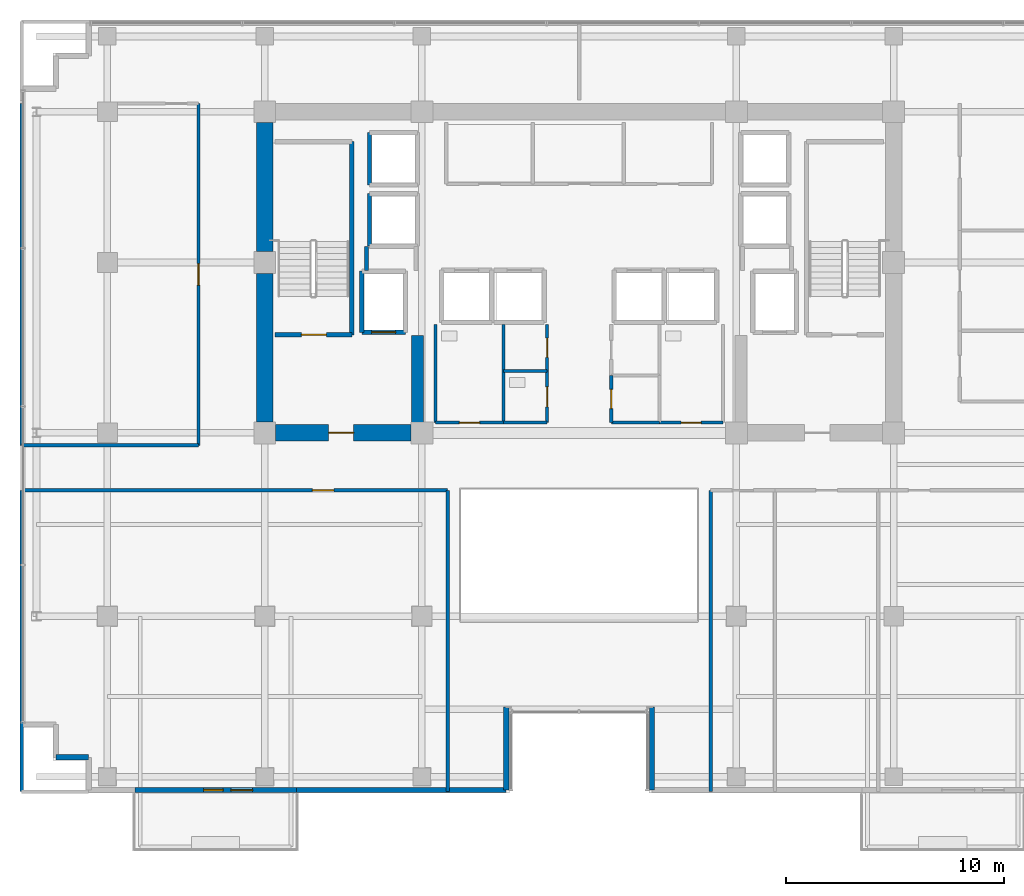
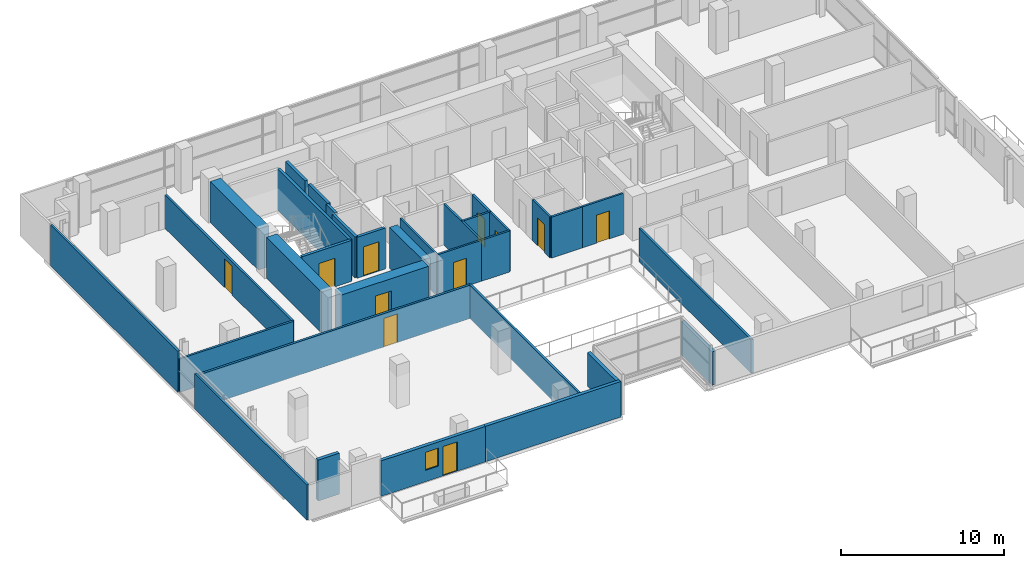
# One storey, part 17 of 24: 33 walls, 11 doors, 1 window, 12 openings.
"""IFC4 building model written with IfcOpenShell, lengths in metres."""

from ifc_helpers import new_model, si_unit, direction, frame, frame_2d, origin, place, context, subcontext, project, spatial, rectangle, extrude, source, transform, mapped, material, layer, layer_set, type_object, element, fill, save


model = new_model("IFC4")

# Units and contexts
model_context = context("Model", 3, precision=1e-05, world=origin(), true_north=direction((0.0, 1.0)))
body_context = subcontext(model_context, "Body", "Model", "MODEL_VIEW")
ifc_project = project(units=[si_unit("LENGTHUNIT", "METRE"), si_unit("AREAUNIT", "SQUARE_METRE"), si_unit("VOLUMEUNIT", "CUBIC_METRE"), si_unit("PLANEANGLEUNIT", "RADIAN"), si_unit("MASSUNIT", "GRAM", prefix="KILO")], contexts=[model_context])

# Site, building, storey
site_placement = place(None, origin())
site = spatial("IfcSite", under=ifc_project, at=site_placement, CompositionType="ELEMENT")
building_placement = place(site_placement, origin())
building = spatial("IfcBuilding", under=site, at=building_placement, Name="Zarnakvel Exchange Tower", CompositionType="ELEMENT")
storey_placement = place(building_placement, frame((0.0, 0.0, 133.0)))
storey = spatial("IfcBuildingStorey", under=building, at=storey_placement, Name="L37", CompositionType="ELEMENT", Elevation=133.0)

# Walls
ifc_material_1 = material(Name="Concrete C60/75", Category="concrete")
ifc_layer_1 = layer(ifc_material_1, 0.75)
ifc_layer_set_1 = layer_set([ifc_layer_1], Name="Concrete C60/75")
wall_type_1 = type_object("IfcWallType", Name="CW-C3", PredefinedType="SHEAR", material=ifc_layer_set_1)
wall_1_placement = place(storey_placement, frame((-14.39990234375, -0.699951171875, 0.0), z_axis=(0.0, 0.0, 1.0), x_axis=(0.0, 1.0, 0.0)))
element("IfcWall", 1, at=wall_1_placement, inside=storey, type_object=wall_type_1, Name="L37 Rear Core Shear Wall W1 (CW-C3)", PredefinedType="SHEAR", context=body_context, shape_type="SweptSolid", body=[
    extrude(rectangle(XDim=6.800048828125, YDim=0.75, at=frame_2d((3.39990234375, 0.0))), origin(), (0.0, 0.0, 1.0), 3.074951171875),
])
wall_2_placement = place(storey_placement, frame((-14.39990234375, 7.10009765625, 0.0), z_axis=(0.0, 0.0, 1.0), x_axis=(0.0, 1.0, 0.0)))
element("IfcWall", 2, at=wall_2_placement, inside=storey, type_object=wall_type_1, Name="L37 Rear Core Shear Wall W2 (CW-C3)", PredefinedType="SHEAR", context=body_context, shape_type="SweptSolid", body=[
    extrude(rectangle(XDim=5.89990234375, YDim=0.75, at=frame_2d((2.949951171875, 0.0))), origin(), (0.0, 0.0, 1.0), 3.074951171875),
])

# Wall, opening, door
wall_3_placement = place(storey_placement, frame((-7.699951171875, -1.199951171875, 0.0), z_axis=(0.0, 0.0, 1.0), x_axis=(-1.0, 0.0, 0.0)))
wall_3 = element("IfcWall", 3, at=wall_3_placement, inside=storey, type_object=wall_type_1, Name="L37 Rear Core Shear Wall SW (CW-C3)", PredefinedType="SHEAR", context=body_context, shape_type="SweptSolid", body=[
    extrude(rectangle(XDim=6.199951171875, YDim=0.75, at=frame_2d((3.10009765625, 0.0))), origin(), (0.0, 0.0, 1.0), 3.074951171875),
])
opening_1_placement = place(wall_3_placement, frame((2.625, 0.0, 0.0)))
opening_1 = element("IfcOpeningElement", 4, at=opening_1_placement, cuts=wall_3, Name="Opening D-L37-03", PredefinedType="OPENING", context=body_context, shape_type="SweptSolid", body=[
    extrude(rectangle(XDim=1.14990234375, YDim=2.14990234375, at=frame_2d((0.574951171875, 1.074951171875))), frame((0.0, 0.385009765625, 0.0), z_axis=(0.0, -1.0, 0.0), x_axis=(1.0, 0.0, 0.0)), (0.0, 0.0, 1.0), 0.77001953125),
])
ifc_material_2 = material(Name="Painted Galvanised Steel S355", Category="steel")
door_type_1 = type_object("IfcDoorType", Name="DT-04", OperationType="NOTDEFINED", PredefinedType="DOOR", material=ifc_material_2)
shared_shape_1 = source(origin(), body_context, "Body", "SweptSolid", [
    extrude(rectangle(XDim=1.14990234375, YDim=2.14990234375, at=frame_2d((0.574951171875, 1.074951171875))), frame((0.0, 0.02490234375, 0.0), z_axis=(0.0, -1.0, 0.0), x_axis=(1.0, 0.0, 0.0)), (0.0, 0.0, 1.0), 0.050048828125),
])
door_1_placement = place(opening_1_placement, origin())
door_1 = element("IfcDoor", 5, at=door_1_placement, inside=storey, type_object=door_type_1, Name="L37 Firefighting Lobby West Door D-L37-03", OperationType="SINGLE_SWING_LEFT", OverallHeight=2.14990234375, OverallWidth=1.14990234375, PredefinedType="DOOR", context=body_context, shape_type="MappedRepresentation", body=[
    mapped(shared_shape_1, transform((0.0, 0.0, 0.0), x_axis=(1.0, 0.0, 0.0), y_axis=(0.0, 1.0, 0.0), z_axis=(0.0, 0.0, 1.0), scale=1.0)),
])
fill(opening_1, door_1)

# Wall
ifc_layer_2 = layer(ifc_material_1, 0.550048828125)
ifc_layer_set_2 = layer_set([ifc_layer_2], Name="Concrete C60/75")
wall_type_2 = type_object("IfcWallType", Name="CW-C4", PredefinedType="SHEAR", material=ifc_layer_set_2)
wall_4_placement = place(storey_placement, frame((-7.39990234375, -0.824951171875, 0.0), z_axis=(0.0, 0.0, 1.0), x_axis=(0.0, 1.0, 0.0)))
element("IfcWall", 6, at=wall_4_placement, inside=storey, type_object=wall_type_2, Name="L37 Rear Core Shear Wall IW (CW-C4)", PredefinedType="SHEAR", context=body_context, shape_type="SweptSolid", body=[
    extrude(rectangle(XDim=4.074951171875, YDim=0.550048828125, at=frame_2d((2.03759765625, 0.0))), origin(), (0.0, 0.0, 1.0), 3.074951171875),
])

# Wall, openings, door, window
ifc_material_3 = material(Name="Precast concrete C40/50", Category="concrete")
ifc_layer_3 = layer(ifc_material_3, 0.239990234375)
ifc_layer_set_3 = layer_set([ifc_layer_3], Name="Precast concrete C40/50")
wall_type_3 = type_object("IfcWallType", Name="EW-02", PredefinedType="SOLIDWALL", material=ifc_layer_set_3)
wall_5_placement = place(storey_placement, frame((-12.949951171875, -17.56005859375, 0.0), z_axis=(0.0, 0.0, 1.0), x_axis=(-1.0, 0.0, 0.0)))
wall_5 = element("IfcWall", 7, at=wall_5_placement, inside=storey, type_object=wall_type_3, Name="L37 Exterior Precast Spandrel Wall EW-BAL-L37-SW (EW-02)", PredefinedType="SOLIDWALL", context=body_context, shape_type="SweptSolid", body=[
    extrude(rectangle(XDim=7.400146484375, YDim=0.239990234375, at=frame_2d((3.7001953125, 0.0))), origin(), (0.0, 0.0, 1.0), 2.6650390625),
])
opening_2_placement = place(wall_5_placement, frame((1.998046875, 0.0, 0.0)))
opening_2 = element("IfcOpeningElement", 8, at=opening_2_placement, cuts=wall_5, Name="Opening BD-L37-01", PredefinedType="OPENING", context=body_context, shape_type="SweptSolid", body=[
    extrude(rectangle(XDim=1.0, YDim=2.199951171875, at=frame_2d((0.5, 1.10009765625))), frame((0.0, 0.1298828125, 0.0), z_axis=(0.0, -1.0, 0.0), x_axis=(1.0, 0.0, 0.0)), (0.0, 0.0, 1.0), 0.260009765625),
])
opening_3_placement = place(wall_5_placement, frame((3.347900390625, 0.0, 0.85009765625)))
opening_3 = element("IfcOpeningElement", 9, at=opening_3_placement, cuts=wall_5, Name="Opening WN-06", PredefinedType="OPENING", context=body_context, shape_type="SweptSolid", body=[
    extrude(rectangle(XDim=0.89990234375, YDim=1.35009765625, at=frame_2d((0.449951171875, 0.675048828125))), frame((0.0, 0.1298828125, 0.0), z_axis=(0.0, -1.0, 0.0), x_axis=(1.0, 0.0, 0.0)), (0.0, 0.0, 1.0), 0.260009765625),
])
ifc_material_4 = material(Name="Architectural Bronze Anodised Aluminium", Category="aluminium")
door_type_2 = type_object("IfcDoorType", Name="DT-09", OperationType="NOTDEFINED", PredefinedType="DOOR", material=ifc_material_4)
shared_shape_2 = source(origin(), body_context, "Body", "SweptSolid", [
    extrude(rectangle(XDim=1.0, YDim=2.199951171875, at=frame_2d((0.5, 1.10009765625))), frame((0.0, 0.02490234375, 0.0), z_axis=(0.0, -1.0, 0.0), x_axis=(1.0, 0.0, 0.0)), (0.0, 0.0, 1.0), 0.050048828125),
])
door_2_placement = place(opening_2_placement, origin())
door_2 = element("IfcDoor", 10, at=door_2_placement, inside=storey, type_object=door_type_2, Name="L37 Planted Loggia Balcony Door BD-L37-01", OperationType="SINGLE_SWING_LEFT", OverallHeight=2.199951171875, OverallWidth=1.0, PredefinedType="DOOR", context=body_context, shape_type="MappedRepresentation", body=[
    mapped(shared_shape_2, transform((0.0, 0.0, 0.0), x_axis=(1.0, 0.0, 0.0), y_axis=(0.0, 1.0, 0.0), z_axis=(0.0, 0.0, 1.0), scale=1.0)),
])
fill(opening_2, door_2)
ifc_material_5 = material(Name="Double Low-E Laminated Vision Glass", Category="glass")
window_type = type_object("IfcWindowType", Name="WN-06", PartitioningType="SINGLE_PANEL", PredefinedType="WINDOW", material=ifc_material_5)
shared_shape_3 = source(origin(), body_context, "Body", "SweptSolid", [
    extrude(rectangle(XDim=0.89990234375, YDim=1.35009765625, at=frame_2d((0.449951171875, 0.675048828125))), frame((0.0, 0.030029296875, 0.0), z_axis=(0.0, -1.0, 0.0), x_axis=(1.0, 0.0, 0.0)), (0.0, 0.0, 1.0), 0.06005859375),
])
window_placement = place(opening_3_placement, origin())
window = element("IfcWindow", 11, at=window_placement, inside=storey, type_object=window_type, Name="L37 Loggia Daylight Window (WN-06)", OverallHeight=1.35009765625, OverallWidth=0.89990234375, PartitioningType="SINGLE_PANEL", PredefinedType="WINDOW", context=body_context, shape_type="MappedRepresentation", body=[
    mapped(shared_shape_3, transform((0.0, 0.0, 0.0), x_axis=(1.0, 0.0, 0.0), y_axis=(0.0, 1.0, 0.0), z_axis=(0.0, 0.0, 1.0), scale=1.0)),
])
fill(opening_3, window)

# Walls
for number, where, z_axis, x_axis, name in (
    (12, (3.340087890625, -13.760009765625, 0.0), (0.0, 0.0, 1.0), (0.0, -1.0, 0.0), "L37 Exterior Precast Spandrel Wall EWC-L37-17 (EW-02)"),
    (13, (-3.340087890625, -17.56005859375, 0.0), (0.0, 0.0, 1.0), (0.0, 1.0, 0.0), "L37 Exterior Precast Spandrel Wall EWC-L37-20 (EW-02)"),
):
    element("IfcWall", number, at=place(storey_placement, frame(where, z_axis=z_axis, x_axis=x_axis)), inside=storey, type_object=wall_type_3, Name=name, PredefinedType="SOLIDWALL", context=body_context, shape_type="SweptSolid", body=[
        extrude(rectangle(XDim=3.800048828125, YDim=0.239990234375, at=frame_2d((1.89990234375, 0.0))), origin(), (0.0, 0.0, 1.0), 2.514892578125),
    ])
wall_6_placement = place(storey_placement, frame((-12.949951171875, -17.56005859375, 0.0), z_axis=(0.0, 0.0, 1.0), x_axis=(1.0, 0.0, 0.0)))
element("IfcWall", 14, at=wall_6_placement, inside=storey, type_object=wall_type_3, Name="L37 Exterior Precast Spandrel Wall EWC-L37-21 (EW-02)", PredefinedType="SOLIDWALL", context=body_context, shape_type="SweptSolid", body=[
    extrude(rectangle(XDim=9.60986328125, YDim=0.239990234375, at=frame_2d((4.804931640625, 0.0))), origin(), (0.0, 0.0, 1.0), 2.6650390625),
])
wall_7_placement = place(storey_placement, frame((-23.9599609375, -16.06005859375, 0.0), z_axis=(0.0, 0.0, 1.0), x_axis=(1.0, 0.0, 0.0)))
element("IfcWall", 15, at=wall_7_placement, inside=storey, type_object=wall_type_3, Name="L37 Exterior Precast Spandrel Wall EWC-L37-24 (EW-02)", PredefinedType="SOLIDWALL", context=body_context, shape_type="SweptSolid", body=[
    extrude(rectangle(XDim=1.5, YDim=0.239990234375, at=frame_2d((0.75, 0.0))), origin(), (0.0, 0.0, 1.0), 3.074951171875),
])

# Wall, opening, door
ifc_material_6 = material(Name="Fire-Rated Gypsum Stud Partition", Category="gypsum")
ifc_layer_4 = layer(ifc_material_6, 0.14990234375)
ifc_layer_set_4 = layer_set([ifc_layer_4], Name="Fire-Rated Gypsum Stud Partition")
wall_type_4 = type_object("IfcWallType", Name="PT-01", PredefinedType="PARTITIONING", material=ifc_layer_set_4)
wall_8_placement = place(storey_placement, frame((-1.469970703125, 3.760009765625, 0.0), z_axis=(0.0, 0.0, 1.0), x_axis=(0.0, -1.0, 0.0)))
wall_8 = element("IfcWall", 16, at=wall_8_placement, inside=storey, type_object=wall_type_4, Name="L37 Partition Wall PWALL-L37-024 (PT-01)", PredefinedType="PARTITIONING", context=body_context, shape_type="SweptSolid", body=[
    extrude(rectangle(XDim=2.130126953125, YDim=0.14990234375, at=frame_2d((1.06494140625, 0.0))), origin(), (0.0, 0.0, 1.0), 3.074951171875),
])
opening_4_placement = place(wall_8_placement, frame((0.6201171875, 0.0, 0.0)))
opening_4 = element("IfcOpeningElement", 17, at=opening_4_placement, cuts=wall_8, Name="Opening D-L37-10", PredefinedType="OPENING", context=body_context, shape_type="SweptSolid", body=[
    extrude(rectangle(XDim=0.8798828125, YDim=2.10009765625, at=frame_2d((0.43994140625, 1.050048828125))), frame((0.0, 0.0849609375, 0.0), z_axis=(0.0, -1.0, 0.0), x_axis=(1.0, 0.0, 0.0)), (0.0, 0.0, 1.0), 0.169921875),
])
door_type_3 = type_object("IfcDoorType", Name="DT-08", OperationType="NOTDEFINED", PredefinedType="DOOR", material=ifc_material_2)
shared_shape_4 = source(origin(), body_context, "Body", "SweptSolid", [
    extrude(rectangle(XDim=0.8798828125, YDim=2.10009765625, at=frame_2d((0.43994140625, 1.050048828125))), frame((0.0, 0.02490234375, 0.0), z_axis=(0.0, -1.0, 0.0), x_axis=(1.0, 0.0, 0.0)), (0.0, 0.0, 1.0), 0.050048828125),
])
door_3_placement = place(opening_4_placement, origin())
door_3 = element("IfcDoor", 18, at=door_3_placement, inside=storey, type_object=door_type_3, Name="L37 Core Comms Room Door D-L37-10", OperationType="SINGLE_SWING_RIGHT", OverallHeight=2.10009765625, OverallWidth=0.8798828125, PredefinedType="DOOR", context=body_context, shape_type="MappedRepresentation", body=[
    mapped(shared_shape_4, transform((0.0, 0.0, 0.0), x_axis=(1.0, 0.0, 0.0), y_axis=(0.0, 1.0, 0.0), z_axis=(0.0, 0.0, 1.0), scale=1.0)),
])
fill(opening_4, door_3)

# Wall
wall_9_placement = place(storey_placement, frame((3.679931640625, -0.72998046875, 0.0), z_axis=(0.0, 0.0, 1.0), x_axis=(-1.0, 0.0, 0.0)))
element("IfcWall", 19, at=wall_9_placement, inside=storey, type_object=wall_type_4, Name="L37 Partition Wall PWALL-L37-025 (PT-01)", PredefinedType="PARTITIONING", context=body_context, shape_type="SweptSolid", body=[
    extrude(rectangle(XDim=2.2099609375, YDim=0.14990234375, at=frame_2d((1.10498046875, 0.0))), origin(), (0.0, 0.0, 1.0), 3.074951171875),
])

# Wall, opening, door
wall_10_placement = place(storey_placement, frame((1.469970703125, -0.72998046875, 0.0), z_axis=(0.0, 0.0, 1.0), x_axis=(0.0, 1.0, 0.0)))
wall_10 = element("IfcWall", 20, at=wall_10_placement, inside=storey, type_object=wall_type_4, Name="L37 Partition Wall PWALL-L37-027 (PT-01)", PredefinedType="PARTITIONING", context=body_context, shape_type="SweptSolid", body=[
    extrude(rectangle(XDim=2.159912109375, YDim=0.14990234375, at=frame_2d((1.080078125, 0.0))), origin(), (0.0, 0.0, 1.0), 3.074951171875),
])
opening_5_placement = place(wall_10_placement, frame((0.639892578125, 0.0, 0.0)))
opening_5 = element("IfcOpeningElement", 21, at=opening_5_placement, cuts=wall_10, Name="Opening D-L37-11", PredefinedType="OPENING", context=body_context, shape_type="SweptSolid", body=[
    extrude(rectangle(XDim=0.8798828125, YDim=2.10009765625, at=frame_2d((0.43994140625, 1.050048828125))), frame((0.0, 0.0849609375, 0.0), z_axis=(0.0, -1.0, 0.0), x_axis=(1.0, 0.0, 0.0)), (0.0, 0.0, 1.0), 0.169921875),
])
door_4_placement = place(opening_5_placement, origin())
door_4 = element("IfcDoor", 22, at=door_4_placement, inside=storey, type_object=door_type_3, Name="L37 Janitor Store Door D-L37-11", OperationType="SINGLE_SWING_LEFT", OverallHeight=2.10009765625, OverallWidth=0.8798828125, PredefinedType="DOOR", context=body_context, shape_type="MappedRepresentation", body=[
    mapped(shared_shape_4, transform((0.0, 0.0, 0.0), x_axis=(1.0, 0.0, 0.0), y_axis=(0.0, 1.0, 0.0), z_axis=(0.0, 0.0, 1.0), scale=1.0)),
])
fill(opening_5, door_4)

wall_11_placement = place(storey_placement, frame((-25.530029296875, -3.830078125, 0.0), z_axis=(0.0, 0.0, 1.0), x_axis=(1.0, 0.0, 0.0)))
wall_11 = element("IfcWall", 23, at=wall_11_placement, inside=storey, type_object=wall_type_4, Name="L37 Partition Wall PWALL-L37-034 (PT-01)", PredefinedType="PARTITIONING", context=body_context, shape_type="SweptSolid", body=[
    extrude(rectangle(XDim=19.510009765625, YDim=0.14990234375, at=frame_2d((9.7548828125, 0.0))), origin(), (0.0, 0.0, 1.0), 2.514892578125),
])
opening_6_placement = place(wall_11_placement, frame((13.31494140625, 0.0, 0.0)))
opening_6 = element("IfcOpeningElement", 24, at=opening_6_placement, cuts=wall_11, Name="Opening D-L37-14", PredefinedType="OPENING", context=body_context, shape_type="SweptSolid", body=[
    extrude(rectangle(XDim=0.97998046875, YDim=2.14990234375, at=frame_2d((0.489990234375, 1.074951171875))), frame((0.0, 0.0849609375, 0.0), z_axis=(0.0, -1.0, 0.0), x_axis=(1.0, 0.0, 0.0)), (0.0, 0.0, 1.0), 0.169921875),
])
ifc_material_7 = material(Name="Timber Acoustic Veneer", Category="wood")
door_type_4 = type_object("IfcDoorType", Name="DT-05", OperationType="NOTDEFINED", PredefinedType="DOOR", material=ifc_material_7)
shared_shape_5 = source(origin(), body_context, "Body", "SweptSolid", [
    extrude(rectangle(XDim=0.97998046875, YDim=2.14990234375, at=frame_2d((0.489990234375, 1.074951171875))), frame((0.0, 0.02490234375, 0.0), z_axis=(0.0, -1.0, 0.0), x_axis=(1.0, 0.0, 0.0)), (0.0, 0.0, 1.0), 0.050048828125),
])
door_5_placement = place(opening_6_placement, origin())
door_5 = element("IfcDoor", 25, at=door_5_placement, inside=storey, type_object=door_type_4, Name="L37 Sovereign Wealth Office Door D-L37-14", OperationType="SINGLE_SWING_RIGHT", OverallHeight=2.14990234375, OverallWidth=0.97998046875, PredefinedType="DOOR", context=body_context, shape_type="MappedRepresentation", body=[
    mapped(shared_shape_5, transform((0.0, 0.0, 0.0), x_axis=(1.0, 0.0, 0.0), y_axis=(0.0, 1.0, 0.0), z_axis=(0.0, 0.0, 1.0), scale=1.0)),
])
fill(opening_6, door_5)

# Walls
wall_12_placement = place(storey_placement, frame((-25.530029296875, -17.6298828125, 0.0), z_axis=(0.0, 0.0, 1.0), x_axis=(0.0, 1.0, 0.0)))
element("IfcWall", 26, at=wall_12_placement, inside=storey, type_object=wall_type_4, Name="L37 Partition Wall PWALL-L37-035 (PT-01)", PredefinedType="PARTITIONING", context=body_context, shape_type="SweptSolid", body=[
    extrude(rectangle(XDim=13.7998046875, YDim=0.14990234375, at=frame_2d((6.89990234375, 0.0))), origin(), (0.0, 0.0, 1.0), 2.6650390625),
])
for number, where, z_axis, x_axis, name in (
    (27, (-6.02001953125, -3.830078125, 0.0), (0.0, 0.0, 1.0), (0.0, -1.0, 0.0), "L37 Partition Wall PWALL-L37-036 (PT-01)"),
    (28, (6.02001953125, -17.6298828125, 0.0), (0.0, 0.0, 1.0), (0.0, 1.0, 0.0), "L37 Partition Wall PWALL-L37-039 (PT-01)"),
):
    element("IfcWall", number, at=place(storey_placement, frame(where, z_axis=z_axis, x_axis=x_axis)), inside=storey, type_object=wall_type_4, Name=name, PredefinedType="PARTITIONING", context=body_context, shape_type="SweptSolid", body=[
        extrude(rectangle(XDim=13.7998046875, YDim=0.14990234375, at=frame_2d((6.89990234375, 0.0))), origin(), (0.0, 0.0, 1.0), 2.514892578125),
    ])
wall_13_placement = place(storey_placement, frame((-17.429931640625, -1.77001953125, 0.0), z_axis=(0.0, 0.0, 1.0), x_axis=(-1.0, 0.0, 0.0)))
element("IfcWall", 29, at=wall_13_placement, inside=storey, type_object=wall_type_4, Name="L37 Partition Wall PWALL-L37-047 (PT-01)", PredefinedType="PARTITIONING", context=body_context, shape_type="SweptSolid", body=[
    extrude(rectangle(XDim=8.10009765625, YDim=0.14990234375, at=frame_2d((4.050048828125, 0.0))), origin(), (0.0, 0.0, 1.0), 2.514892578125),
])
wall_14_placement = place(storey_placement, frame((-25.530029296875, -1.77001953125, 0.0), z_axis=(0.0, 0.0, 1.0), x_axis=(0.0, 1.0, 0.0)))
element("IfcWall", 30, at=wall_14_placement, inside=storey, type_object=wall_type_4, Name="L37 Partition Wall PWALL-L37-049 (PT-01)", PredefinedType="PARTITIONING", context=body_context, shape_type="SweptSolid", body=[
    extrude(rectangle(XDim=15.64990234375, YDim=0.14990234375, at=frame_2d((7.824951171875, 0.0))), origin(), (0.0, 0.0, 1.0), 3.074951171875),
])

# Wall, opening, door
wall_15_placement = place(storey_placement, frame((-17.429931640625, 13.8798828125, 0.0), z_axis=(0.0, 0.0, 1.0), x_axis=(0.0, -1.0, 0.0)))
wall_15 = element("IfcWall", 31, at=wall_15_placement, inside=storey, type_object=wall_type_4, Name="L37 Partition Wall PWALL-L37-050 (PT-01)", PredefinedType="PARTITIONING", context=body_context, shape_type="SweptSolid", body=[
    extrude(rectangle(XDim=15.64990234375, YDim=0.14990234375, at=frame_2d((7.824951171875, 0.0))), origin(), (0.0, 0.0, 1.0), 2.514892578125),
])
opening_7_placement = place(wall_15_placement, frame((7.3349609375, 0.0, 0.0)))
opening_7 = element("IfcOpeningElement", 32, at=opening_7_placement, cuts=wall_15, Name="Opening D-L37-18", PredefinedType="OPENING", context=body_context, shape_type="SweptSolid", body=[
    extrude(rectangle(XDim=0.97998046875, YDim=2.14990234375, at=frame_2d((0.489990234375, 1.074951171875))), frame((0.0, 0.0849609375, 0.0), z_axis=(0.0, -1.0, 0.0), x_axis=(1.0, 0.0, 0.0)), (0.0, 0.0, 1.0), 0.169921875),
])
door_6_placement = place(opening_7_placement, origin())
door_6 = element("IfcDoor", 33, at=door_6_placement, inside=storey, type_object=door_type_4, Name="L37 Conference Room Door D-L37-18", OperationType="SINGLE_SWING_RIGHT", OverallHeight=2.14990234375, OverallWidth=0.97998046875, PredefinedType="DOOR", context=body_context, shape_type="MappedRepresentation", body=[
    mapped(shared_shape_5, transform((0.0, 0.0, 0.0), x_axis=(1.0, 0.0, 0.0), y_axis=(0.0, 1.0, 0.0), z_axis=(0.0, 0.0, 1.0), scale=1.0)),
])
fill(opening_7, door_6)

# Wall
ifc_layer_5 = layer(ifc_material_6, 0.179931640625)
ifc_layer_set_5 = layer_set([ifc_layer_5], Name="Fire-Rated Gypsum Stud Partition")
wall_type_5 = type_object("IfcWallType", Name="PT-02", PredefinedType="PARTITIONING", material=ifc_layer_set_5)
wall_16_placement = place(storey_placement, frame((-9.72998046875, 6.239990234375, 0.0), z_axis=(0.0, 0.0, 1.0), x_axis=(0.0, 1.0, 0.0)))
element("IfcWall", 34, at=wall_16_placement, inside=storey, type_object=wall_type_5, Name="L37 Partition Wall PWALL-L37-007 (PT-02)", PredefinedType="PARTITIONING", context=body_context, shape_type="SweptSolid", body=[
    extrude(rectangle(XDim=1.090087890625, YDim=0.179931640625, at=frame_2d((0.544921875, 0.0))), origin(), (0.0, 0.0, 1.0), 3.074951171875),
])

# Wall, opening, door
ifc_material_8 = material(Name="Moisture-Resistant Tile-Faced Partition", Category="gypsum")
ifc_layer_6 = layer(ifc_material_8, 0.135009765625)
ifc_layer_set_6 = layer_set([ifc_layer_6], Name="Moisture-Resistant Tile-Faced Partition")
wall_type_6 = type_object("IfcWallType", Name="PT-03", PredefinedType="PARTITIONING", material=ifc_layer_set_6)
wall_17_placement = place(storey_placement, frame((-3.469970703125, -0.72998046875, 0.0), z_axis=(0.0, 0.0, 1.0), x_axis=(-1.0, 0.0, 0.0)))
wall_17 = element("IfcWall", 35, at=wall_17_placement, inside=storey, type_object=wall_type_6, Name="L37 Partition Wall PWALL-L37-018 (PT-03)", PredefinedType="PARTITIONING", context=body_context, shape_type="SweptSolid", body=[
    extrude(rectangle(XDim=3.110107421875, YDim=0.135009765625, at=frame_2d((1.55517578125, 0.0))), origin(), (0.0, 0.0, 1.0), 3.074951171875),
])
opening_8_placement = place(wall_17_placement, frame((1.090087890625, 0.0, 0.0)))
opening_8 = element("IfcOpeningElement", 36, at=opening_8_placement, cuts=wall_17, Name="Opening D-L37-08", PredefinedType="OPENING", context=body_context, shape_type="SweptSolid", body=[
    extrude(rectangle(XDim=0.919921875, YDim=2.10009765625, at=frame_2d((0.4599609375, 1.050048828125))), frame((0.0, 0.077392578125, 0.0), z_axis=(0.0, -1.0, 0.0), x_axis=(1.0, 0.0, 0.0)), (0.0, 0.0, 1.0), 0.155029296875),
])
ifc_material_9 = material(Name="Moisture-Resistant Laminate Timber", Category="wood")
door_type_5 = type_object("IfcDoorType", Name="DT-07", OperationType="NOTDEFINED", PredefinedType="DOOR", material=ifc_material_9)
shared_shape_6 = source(origin(), body_context, "Body", "SweptSolid", [
    extrude(rectangle(XDim=0.919921875, YDim=2.10009765625, at=frame_2d((0.4599609375, 1.050048828125))), frame((0.0, 0.02490234375, 0.0), z_axis=(0.0, -1.0, 0.0), x_axis=(1.0, 0.0, 0.0)), (0.0, 0.0, 1.0), 0.050048828125),
])
door_7_placement = place(opening_8_placement, origin())
door_7 = element("IfcDoor", 37, at=door_7_placement, inside=storey, type_object=door_type_5, Name="L37 Male Toilet Door D-L37-08", OperationType="SINGLE_SWING_RIGHT", OverallHeight=2.10009765625, OverallWidth=0.919921875, PredefinedType="DOOR", context=body_context, shape_type="MappedRepresentation", body=[
    mapped(shared_shape_6, transform((0.0, 0.0, 0.0), x_axis=(1.0, 0.0, 0.0), y_axis=(0.0, 1.0, 0.0), z_axis=(0.0, 0.0, 1.0), scale=1.0)),
])
fill(opening_8, door_7)

# Walls
for number, where, z_axis, x_axis, name in (
    (38, (-6.580078125, -0.72998046875, 0.0), (0.0, 0.0, 1.0), (0.0, 1.0, 0.0), "L37 Partition Wall PWALL-L37-019 (PT-03)"),
    (39, (-3.469970703125, 3.760009765625, 0.0), (0.0, 0.0, 1.0), (0.0, -1.0, 0.0), "L37 Partition Wall PWALL-L37-020 (PT-03)"),
):
    element("IfcWall", number, at=place(storey_placement, frame(where, z_axis=z_axis, x_axis=x_axis)), inside=storey, type_object=wall_type_6, Name=name, PredefinedType="PARTITIONING", context=body_context, shape_type="SweptSolid", body=[
        extrude(rectangle(XDim=4.489990234375, YDim=0.135009765625, at=frame_2d((2.2451171875, 0.0))), origin(), (0.0, 0.0, 1.0), 3.074951171875),
    ])
for number, where, z_axis, x_axis, name in (
    (40, (-1.469970703125, -0.72998046875, 0.0), (0.0, 0.0, 1.0), (-1.0, 0.0, 0.0), "L37 Partition Wall PWALL-L37-021 (PT-03)"),
    (41, (-3.469970703125, 1.6298828125, 0.0), (0.0, 0.0, 1.0), (1.0, 0.0, 0.0), "L37 Partition Wall PWALL-L37-022 (PT-03)"),
):
    element("IfcWall", number, at=place(storey_placement, frame(where, z_axis=z_axis, x_axis=x_axis)), inside=storey, type_object=wall_type_6, Name=name, PredefinedType="PARTITIONING", context=body_context, shape_type="SweptSolid", body=[
        extrude(rectangle(XDim=2.0, YDim=0.135009765625, at=frame_2d((1.0, 0.0))), origin(), (0.0, 0.0, 1.0), 3.074951171875),
    ])

# Wall, opening, door
wall_18_placement = place(storey_placement, frame((-1.469970703125, 1.6298828125, 0.0), z_axis=(0.0, 0.0, 1.0), x_axis=(0.0, -1.0, 0.0)))
wall_18 = element("IfcWall", 42, at=wall_18_placement, inside=storey, type_object=wall_type_6, Name="L37 Partition Wall PWALL-L37-023 (PT-03)", PredefinedType="PARTITIONING", context=body_context, shape_type="SweptSolid", body=[
    extrude(rectangle(XDim=2.35986328125, YDim=0.135009765625, at=frame_2d((1.179931640625, 0.0))), origin(), (0.0, 0.0, 1.0), 3.074951171875),
])
opening_9_placement = place(wall_18_placement, frame((0.719970703125, 0.0, 0.0)))
opening_9 = element("IfcOpeningElement", 43, at=opening_9_placement, cuts=wall_18, Name="Opening D-L37-09", PredefinedType="OPENING", context=body_context, shape_type="SweptSolid", body=[
    extrude(rectangle(XDim=0.919921875, YDim=2.10009765625, at=frame_2d((0.4599609375, 1.050048828125))), frame((0.0, 0.077392578125, 0.0), z_axis=(0.0, -1.0, 0.0), x_axis=(1.0, 0.0, 0.0)), (0.0, 0.0, 1.0), 0.155029296875),
])
door_8_placement = place(opening_9_placement, origin())
door_8 = element("IfcDoor", 44, at=door_8_placement, inside=storey, type_object=door_type_5, Name="L37 Accessible Toilet Door D-L37-09", OperationType="SINGLE_SWING_LEFT", OverallHeight=2.10009765625, OverallWidth=0.919921875, PredefinedType="DOOR", context=body_context, shape_type="MappedRepresentation", body=[
    mapped(shared_shape_6, transform((0.0, 0.0, 0.0), x_axis=(1.0, 0.0, 0.0), y_axis=(0.0, 1.0, 0.0), z_axis=(0.0, 0.0, 1.0), scale=1.0)),
])
fill(opening_9, door_8)

wall_19_placement = place(storey_placement, frame((6.580078125, -0.72998046875, 0.0), z_axis=(0.0, 0.0, 1.0), x_axis=(-1.0, 0.0, 0.0)))
wall_19 = element("IfcWall", 45, at=wall_19_placement, inside=storey, type_object=wall_type_6, Name="L37 Partition Wall PWALL-L37-031 (PT-03)", PredefinedType="PARTITIONING", context=body_context, shape_type="SweptSolid", body=[
    extrude(rectangle(XDim=2.900146484375, YDim=0.135009765625, at=frame_2d((1.4501953125, 0.0))), origin(), (0.0, 0.0, 1.0), 3.074951171875),
])
opening_10_placement = place(wall_19_placement, frame((0.989990234375, 0.0, 0.0)))
opening_10 = element("IfcOpeningElement", 46, at=opening_10_placement, cuts=wall_19, Name="Opening D-L37-13", PredefinedType="OPENING", context=body_context, shape_type="SweptSolid", body=[
    extrude(rectangle(XDim=0.919921875, YDim=2.10009765625, at=frame_2d((0.4599609375, 1.050048828125))), frame((0.0, 0.077392578125, 0.0), z_axis=(0.0, -1.0, 0.0), x_axis=(1.0, 0.0, 0.0)), (0.0, 0.0, 1.0), 0.155029296875),
])
door_9_placement = place(opening_10_placement, origin())
door_9 = element("IfcDoor", 47, at=door_9_placement, inside=storey, type_object=door_type_5, Name="L37 Female Toilet Door D-L37-13", OperationType="SINGLE_SWING_LEFT", OverallHeight=2.10009765625, OverallWidth=0.919921875, PredefinedType="DOOR", context=body_context, shape_type="MappedRepresentation", body=[
    mapped(shared_shape_6, transform((0.0, 0.0, 0.0), x_axis=(1.0, 0.0, 0.0), y_axis=(0.0, 1.0, 0.0), z_axis=(0.0, 0.0, 1.0), scale=1.0)),
])
fill(opening_10, door_9)

ifc_material_10 = material(Name="Concrete C40/50", Category="concrete")
ifc_layer_7 = layer(ifc_material_10, 0.199951171875)
ifc_layer_set_7 = layer_set([ifc_layer_7], Name="Concrete C40/50")
wall_type_7 = type_object("IfcWallType", Name="SW-01", PredefinedType="SOLIDWALL", material=ifc_layer_set_7)
wall_20_placement = place(storey_placement, frame((-7.949951171875, 3.39990234375, 0.0), z_axis=(0.0, 0.0, 1.0), x_axis=(-1.0, 0.0, 0.0)))
wall_20 = element("IfcWall", 48, at=wall_20_placement, inside=storey, type_object=wall_type_7, Name="L37 FL-01 Hoistway Wall South", PredefinedType="SOLIDWALL", context=body_context, shape_type="SweptSolid", body=[
    extrude(rectangle(XDim=2.0, YDim=0.199951171875, at=frame_2d((1.0, 0.0))), origin(), (0.0, 0.0, 1.0), 3.074951171875),
])
opening_11_placement = place(wall_20_placement, frame((0.449951171875, 0.0, 0.0)))
opening_11 = element("IfcOpeningElement", 49, at=opening_11_placement, cuts=wall_20, Name="Opening LD-FL-01-L37", PredefinedType="OPENING", context=body_context, shape_type="SweptSolid", body=[
    extrude(rectangle(XDim=1.10009765625, YDim=2.199951171875, at=frame_2d((0.550048828125, 1.10009765625))), frame((0.0, 0.10986328125, 0.0), z_axis=(0.0, -1.0, 0.0), x_axis=(1.0, 0.0, 0.0)), (0.0, 0.0, 1.0), 0.219970703125),
])
ifc_material_11 = material(Name="Brushed Stainless Steel", Category="steel")
door_type_6 = type_object("IfcDoorType", Name="LDT-01", OperationType="NOTDEFINED", PredefinedType="DOOR", material=ifc_material_11)
shared_shape_7 = source(origin(), body_context, "Body", "SweptSolid", [
    extrude(rectangle(XDim=1.10009765625, YDim=2.199951171875, at=frame_2d((0.550048828125, 1.10009765625))), frame((0.0, 0.02490234375, 0.0), z_axis=(0.0, -1.0, 0.0), x_axis=(1.0, 0.0, 0.0)), (0.0, 0.0, 1.0), 0.050048828125),
])
door_10_placement = place(opening_11_placement, origin())
door_10 = element("IfcDoor", 50, at=door_10_placement, inside=storey, type_object=door_type_6, Name="L37 FL-01 Lift Landing Door LD-FL-01-L37", OperationType="DOUBLE_DOOR_SLIDING", OverallHeight=2.199951171875, OverallWidth=1.10009765625, PredefinedType="DOOR", context=body_context, shape_type="MappedRepresentation", body=[
    mapped(shared_shape_7, transform((0.0, 0.0, 0.0), x_axis=(1.0, 0.0, 0.0), y_axis=(0.0, 1.0, 0.0), z_axis=(0.0, 0.0, 1.0), scale=1.0)),
])
fill(opening_11, door_10)

# Walls
wall_21_placement = place(storey_placement, frame((-9.949951171875, 3.39990234375, 0.0), z_axis=(0.0, 0.0, 1.0), x_axis=(0.0, 1.0, 0.0)))
element("IfcWall", 51, at=wall_21_placement, inside=storey, type_object=wall_type_7, Name="L37 FL-01 Hoistway Wall West", PredefinedType="SOLIDWALL", context=body_context, shape_type="SweptSolid", body=[
    extrude(rectangle(XDim=2.800048828125, YDim=0.199951171875, at=frame_2d((1.39990234375, 0.0))), origin(), (0.0, 0.0, 1.0), 3.074951171875),
])
wall_22_placement = place(storey_placement, frame((-9.60009765625, 7.35009765625, 0.0), z_axis=(0.0, 0.0, 1.0), x_axis=(0.0, 1.0, 0.0)))
element("IfcWall", 52, at=wall_22_placement, inside=storey, type_object=wall_type_7, Name="L37 PL-09 Hoistway Wall West", PredefinedType="SOLIDWALL", context=body_context, shape_type="SweptSolid", body=[
    extrude(rectangle(XDim=2.39990234375, YDim=0.199951171875, at=frame_2d((1.199951171875, 0.0))), origin(), (0.0, 0.0, 1.0), 3.074951171875),
])
wall_23_placement = place(storey_placement, frame((-9.60009765625, 10.14990234375, 0.0), z_axis=(0.0, 0.0, 1.0), x_axis=(0.0, 1.0, 0.0)))
element("IfcWall", 53, at=wall_23_placement, inside=storey, type_object=wall_type_7, Name="L37 PL-10 Hoistway Wall West", PredefinedType="SOLIDWALL", context=body_context, shape_type="SweptSolid", body=[
    extrude(rectangle(XDim=2.400146484375, YDim=0.199951171875, at=frame_2d((1.2001953125, 0.0))), origin(), (0.0, 0.0, 1.0), 3.074951171875),
])

# Wall, opening, door
ifc_layer_8 = layer(ifc_material_10, 0.199951171875)
ifc_layer_set_8 = layer_set([ifc_layer_8], Name="Concrete C40/50")
wall_type_8 = type_object("IfcWallType", Name="SW-02", PredefinedType="SOLIDWALL", material=ifc_layer_set_8)
wall_24_placement = place(storey_placement, frame((-10.409912109375, 3.2900390625, 0.0), z_axis=(0.0, 0.0, 1.0), x_axis=(-1.0, 0.0, 0.0)))
wall_24 = element("IfcWall", 54, at=wall_24_placement, inside=storey, type_object=wall_type_8, Name="L37 Stairwell Core Wall PWALL-L37-001 (SW-02)", PredefinedType="SOLIDWALL", context=body_context, shape_type="SweptSolid", body=[
    extrude(rectangle(XDim=3.52001953125, YDim=0.199951171875, at=frame_2d((1.760009765625, 0.0))), origin(), (0.0, 0.0, 1.0), 3.074951171875),
])
opening_12_placement = place(wall_24_placement, frame((1.1650390625, 0.0, 0.0)))
opening_12 = element("IfcOpeningElement", 55, at=opening_12_placement, cuts=wall_24, Name="Opening D-L37-01", PredefinedType="OPENING", context=body_context, shape_type="SweptSolid", body=[
    extrude(rectangle(XDim=1.14990234375, YDim=2.14990234375, at=frame_2d((0.574951171875, 1.074951171875))), frame((0.0, 0.10986328125, 0.0), z_axis=(0.0, -1.0, 0.0), x_axis=(1.0, 0.0, 0.0)), (0.0, 0.0, 1.0), 0.219970703125),
])
door_11_placement = place(opening_12_placement, origin())
door_11 = element("IfcDoor", 56, at=door_11_placement, inside=storey, type_object=door_type_1, Name="L37 Stairwell ST-01 Door D-L37-01", OperationType="SINGLE_SWING_LEFT", OverallHeight=2.14990234375, OverallWidth=1.14990234375, PredefinedType="DOOR", context=body_context, shape_type="MappedRepresentation", body=[
    mapped(shared_shape_1, transform((0.0, 0.0, 0.0), x_axis=(1.0, 0.0, 0.0), y_axis=(0.0, 1.0, 0.0), z_axis=(0.0, 0.0, 1.0), scale=1.0)),
])
fill(opening_12, door_11)

# Wall
wall_25_placement = place(storey_placement, frame((-10.409912109375, 12.1298828125, 0.0), z_axis=(0.0, 0.0, 1.0), x_axis=(0.0, -1.0, 0.0)))
element("IfcWall", 57, at=wall_25_placement, inside=storey, type_object=wall_type_8, Name="L37 Stairwell Core Wall PWALL-L37-003 (SW-02)", PredefinedType="SOLIDWALL", context=body_context, shape_type="SweptSolid", body=[
    extrude(rectangle(XDim=8.83984375, YDim=0.199951171875, at=frame_2d((4.419921875, 0.0))), origin(), (0.0, 0.0, 1.0), 3.074951171875),
])

save(model, "model.ifc")
